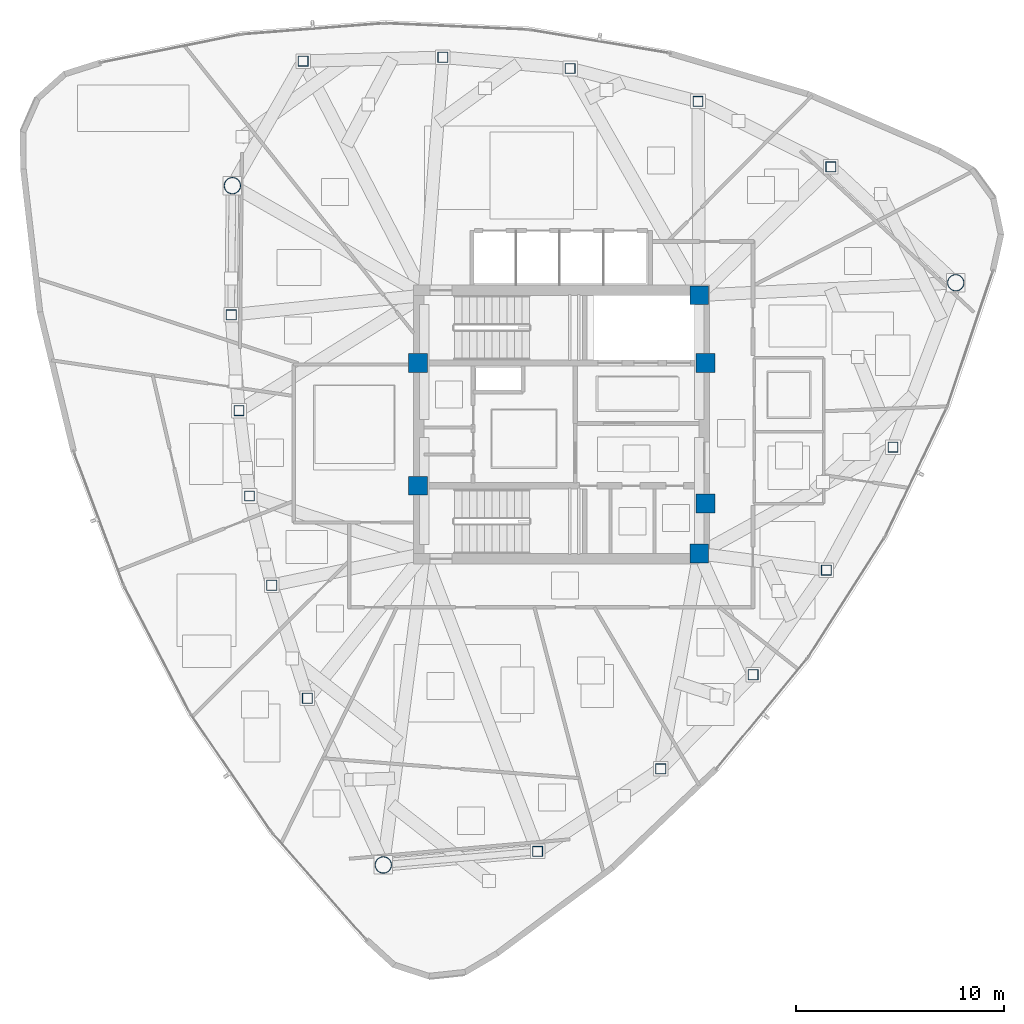
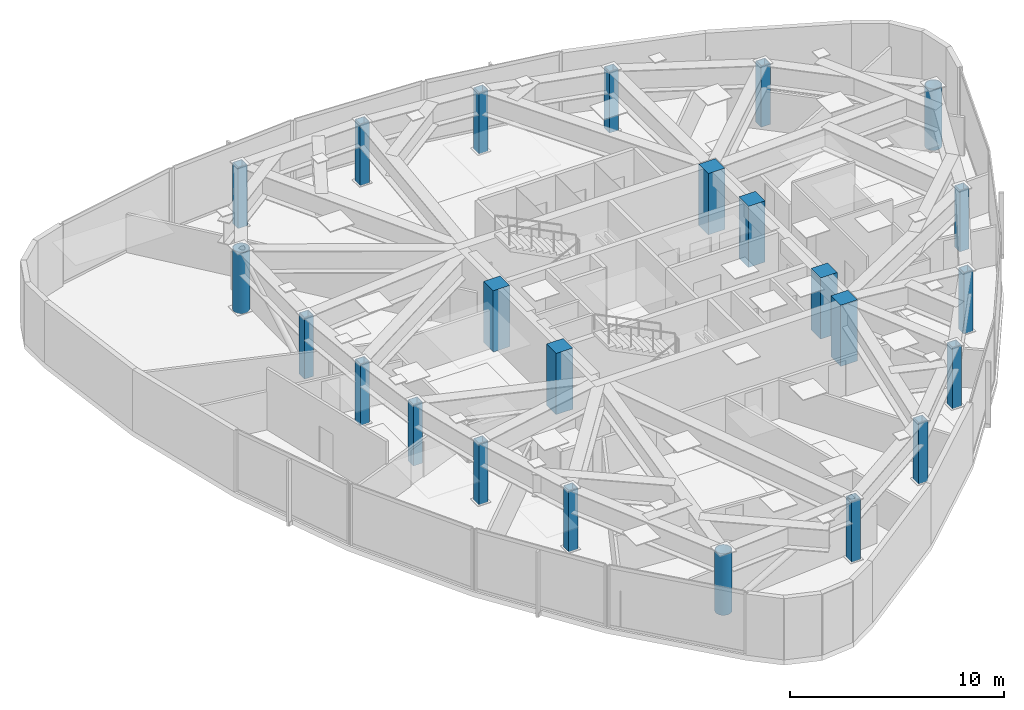
# One storey, part 1 of 13: 24 columns.
"""IFC4 building model written with IfcOpenShell, lengths in metres."""

import ifcopenshell
import ifcopenshell.guid

model = None  # the IFC model being written
_history = None  # IfcOwnerHistory: only IFC2X3 demands one
_inside = {}  # id of a spatial element -> (the spatial element, [elements in it])
_under = {}  # id of a project, library or spatial element -> (it, [spatial elements below it])
_declared = {}  # id of a project -> (the project, [libraries it declares])
_typed = {}  # id of a type object -> (the type object, [elements of that type])
_made_of = {}  # id of a material, layer set ... -> (it, [elements and type objects made of it])


def new_model(schema):
    """Start an empty IFC model of exactly this schema.

    Asked for "IFC4X3", IfcOpenShell would pick the latest addendum, in which some entities
    have other attributes; the version numbers below select the first issue.
    IFC2X3 requires an IfcOwnerHistory on every rooted entity: one is made here for all.
    """
    global model, _history
    if schema == "IFC4X3":
        model = ifcopenshell.file(schema_version=(4, 3, 0, 0))
    else:
        model = ifcopenshell.file(schema=schema)
    _inside.clear()
    _under.clear()
    _declared.clear()
    _typed.clear()
    _made_of.clear()
    _history = None
    if model.schema == "IFC2X3":
        org = make("IfcOrganization", Name="unknown")
        user = make(
            "IfcPersonAndOrganization",
            ThePerson=make("IfcPerson", FamilyName="unknown"),
            TheOrganization=org,
        )
        app = make(
            "IfcApplication",
            ApplicationDeveloper=org,
            Version="unknown",
            ApplicationFullName="unknown",
            ApplicationIdentifier="unknown",
        )
        _history = make(
            "IfcOwnerHistory",
            OwningUser=user,
            OwningApplication=app,
            ChangeAction="ADDED",
            CreationDate=0,
        )
    return model


def make(cls, **values):
    """One entity of the class cls with the attributes given. An attribute that is None is left unset."""
    return model.create_entity(
        cls, **{name: value for name, value in values.items() if value is not None}
    )


def rooted(cls, **values):
    """An entity with a GlobalId (a new one), such as an element, a storey or a relation."""
    return make(cls, GlobalId=ifcopenshell.guid.new(), OwnerHistory=_history, **values)


def si_unit(unit_type, name, prefix=None):
    """IfcSIUnit, for example si_unit("LENGTHUNIT", "METRE", prefix="MILLI")."""
    return make("IfcSIUnit", UnitType=unit_type, Prefix=prefix, Name=name)


def assignment(units):
    """IfcUnitAssignment: the units of a project."""
    return None if units is None else make("IfcUnitAssignment", Units=units)


def point(xyz):
    """IfcCartesianPoint."""
    return None if xyz is None else make("IfcCartesianPoint", Coordinates=xyz)


def direction(xyz):
    """IfcDirection."""
    return None if xyz is None else make("IfcDirection", DirectionRatios=xyz)


def frame(location, z_axis=None, x_axis=None):
    """IfcAxis2Placement3D, a coordinate frame: its origin and axes. An axis left out is left unset."""
    return make(
        "IfcAxis2Placement3D",
        Location=point(location),
        Axis=direction(z_axis),
        RefDirection=direction(x_axis),
    )


def frame_2d(location, x_axis=None):
    """IfcAxis2Placement2D, a coordinate frame in the plane: its origin and x axis."""
    return make(
        "IfcAxis2Placement2D", Location=point(location), RefDirection=direction(x_axis)
    )


def origin():
    """The frame at (0, 0, 0) with its axes left unset."""
    return frame((0.0, 0.0, 0.0))


def origin_2d():
    """The frame at (0, 0) in the plane with its x axis left unset."""
    return frame_2d((0.0, 0.0))


def place(relative_to, where):
    """IfcLocalPlacement: puts the frame where relative to a parent placement (None: the world)."""
    return make(
        "IfcLocalPlacement", PlacementRelTo=relative_to, RelativePlacement=where
    )


def context(
    kind, dimensions, precision=None, world=None, true_north=None, identifier=None
):
    """IfcGeometricRepresentationContext, for example the 3D "Model" context."""
    return make(
        "IfcGeometricRepresentationContext",
        ContextIdentifier=identifier,
        ContextType=kind,
        CoordinateSpaceDimension=dimensions,
        Precision=precision,
        WorldCoordinateSystem=world,
        TrueNorth=true_north,
    )


def subcontext(parent, identifier, kind, view, scale=None):
    """IfcGeometricRepresentationSubContext, for example "Body" below "Model"."""
    return make(
        "IfcGeometricRepresentationSubContext",
        ContextIdentifier=identifier,
        ContextType=kind,
        ParentContext=parent,
        TargetScale=scale,
        TargetView=view,
    )


def project(units=None, contexts=None):
    """IfcProject with its units and contexts."""
    return rooted(
        "IfcProject",
        Name="project",
        RepresentationContexts=contexts,
        UnitsInContext=assignment(units),
    )


def spatial(cls, under=None, at=None, **own):
    """A site, building, storey or space (cls), placed at a placement, below another one or the project."""
    s = rooted(cls, ObjectPlacement=at, **own)
    if under is not None:
        _under.setdefault(under.id(), (under, []))[1].append(s)
    return s


def profile(cls, at=None, kind="AREA", **sizes):
    """A parametric profile (cls). Its sizes go by their IFC names, for example OverallWidth=200.0."""
    return make(cls, ProfileType=kind, Position=at, **sizes)


def rectangle(**sizes):
    """IfcRectangleProfileDef."""
    return profile("IfcRectangleProfileDef", **sizes)


def hollow_rectangle(**sizes):
    """IfcRectangleHollowProfileDef."""
    return profile("IfcRectangleHollowProfileDef", **sizes)


def hollow_circle(**sizes):
    """IfcCircleHollowProfileDef."""
    return profile("IfcCircleHollowProfileDef", **sizes)


def extrude(swept, where, along, depth):
    """IfcExtrudedAreaSolid: the profile swept, set in the frame where, extruded along a direction by depth."""
    return make(
        "IfcExtrudedAreaSolid",
        SweptArea=swept,
        Position=where,
        ExtrudedDirection=direction(along),
        Depth=depth,
    )


def shape(context_of_items, identifier, shape_type, items):
    """IfcShapeRepresentation: the items that make up one representation, for example the "Body"."""
    return make(
        "IfcShapeRepresentation",
        ContextOfItems=context_of_items,
        RepresentationIdentifier=identifier,
        RepresentationType=shape_type,
        Items=items,
    )


def material(Name=None, Category=None):
    """IfcMaterial."""
    return make("IfcMaterial", Name=Name, Category=Category)


def material_profile(
    of_material, cross_section, Name=None, Category=None, Priority=None
):
    """IfcMaterialProfile: a cross section and its material."""
    return make(
        "IfcMaterialProfile",
        Name=Name,
        Material=of_material,
        Profile=cross_section,
        Priority=Priority,
        Category=Category,
    )


def profile_set(profiles, Name=None, composite=None):
    """IfcMaterialProfileSet."""
    return make(
        "IfcMaterialProfileSet",
        Name=Name,
        MaterialProfiles=profiles,
        CompositeProfile=composite,
    )


def made_of(thing, what):
    """Note that an element or type object is made of a material, layer set ...; save() writes the relation."""
    if what is not None:
        _made_of.setdefault(what.id(), (what, []))[1].append(thing)
    return thing


def type_object(cls, material=None, **own):
    """A type object (cls), such as IfcWallType, which elements share."""
    return made_of(rooted(cls, **own), material)


def element(
    cls,
    number,
    at=None,
    inside=None,
    cuts=None,
    type_object=None,
    material=None,
    context=None,
    identifier="Body",
    shape_type=None,
    held_by="IfcProductDefinitionShape",
    body=None,
    shapes=None,
    **own,
):
    """One element of the class cls, such as IfcWall. Its Tag is "e" and its number.

    at: its placement. inside: the storey or other place that contains it. cuts: it is an
    opening in that element (IfcRelVoidsElement). A single representation is given by context,
    identifier, shape_type and body (its items); several are given by shapes. held_by: the class
    of the entity that holds the representations. save() writes the other relations.
    """
    e = rooted(cls, Tag="e%d" % number, ObjectPlacement=at, **own)
    if body is not None:
        shapes = [shape(context, identifier, shape_type, body)]
    if shapes is not None:
        e.Representation = make(held_by, Representations=shapes)
    if inside is not None:
        _inside.setdefault(inside.id(), (inside, []))[1].append(e)
    if cuts is not None:
        rooted(
            "IfcRelVoidsElement", RelatingBuildingElement=cuts, RelatedOpeningElement=e
        )
    if type_object is not None:
        _typed.setdefault(type_object.id(), (type_object, []))[1].append(e)
    return made_of(e, material)


def aggregate(whole, parts):
    """IfcRelAggregates: a whole, such as a stair, and the parts it consists of."""
    return rooted("IfcRelAggregates", RelatingObject=whole, RelatedObjects=parts)


def save(model, path):
    """Write the relations noted so far, then the file.

    IfcRelAggregates (storeys below a building ...), IfcRelContainedInSpatialStructure (elements
    in a storey), IfcRelDefinesByType, IfcRelAssociatesMaterial and IfcRelDeclares: one each for
    every whole, place, type object, material and project.
    """
    for whole, parts in _under.values():
        aggregate(whole, parts)
    for where, things in _inside.values():
        rooted(
            "IfcRelContainedInSpatialStructure",
            RelatedElements=things,
            RelatingStructure=where,
        )
    for kind, things in _typed.values():
        rooted("IfcRelDefinesByType", RelatedObjects=things, RelatingType=kind)
    for what, things in _made_of.values():
        rooted("IfcRelAssociatesMaterial", RelatedObjects=things, RelatingMaterial=what)
    for by, libraries in _declared.values():
        rooted("IfcRelDeclares", RelatingContext=by, RelatedDefinitions=libraries)
    model.write(path)


model = new_model("IFC4")

# Units and contexts
model_context = context("Model", 3, precision=1e-05, world=origin(), true_north=direction((0.0, 1.0)))
body_context = subcontext(model_context, "Body", "Model", "MODEL_VIEW")
ifc_project = project(units=[si_unit("LENGTHUNIT", "METRE"), si_unit("AREAUNIT", "SQUARE_METRE"), si_unit("VOLUMEUNIT", "CUBIC_METRE"), si_unit("PLANEANGLEUNIT", "RADIAN"), si_unit("MASSUNIT", "GRAM", prefix="KILO")], contexts=[model_context])

# Site, building, storey
site_placement = place(None, origin())
site = spatial("IfcSite", under=ifc_project, at=site_placement, CompositionType="ELEMENT")
building_placement = place(site_placement, origin())
building = spatial("IfcBuilding", under=site, at=building_placement, Name="Tavelor Broadcast Tower", CompositionType="ELEMENT")
storey_placement = place(building_placement, frame((0.0, 0.0, 269.550048828125)))
storey = spatial("IfcBuildingStorey", under=building, at=storey_placement, Name="L64", CompositionType="ELEMENT", Elevation=269.550048828125)

# Columns
ifc_material_1 = material(Name="Concrete C50/60", Category="concrete")
ifc_material_profile_1 = material_profile(ifc_material_1, rectangle(XDim=0.89990234375, YDim=0.89990234375, at=origin_2d()), Name="RC 900x900")
ifc_profile_set_1 = profile_set([ifc_material_profile_1], Name="Concrete C50/60")
column_type_1 = type_object("IfcColumnType", Name="Core Embedded Composite Column RC900", PredefinedType="COLUMN", material=ifc_profile_set_1)
for number, where, z_axis, x_axis, name in (
    (1, (43.10009765625, 47.949951171875, 0.0), (0.0, 0.0, 1.0), (1.0, 0.0, 0.0), "L64 Core Embedded Column 1"),
    (2, (56.89990234375, 47.949951171875, 0.0), (0.0, 0.0, 1.0), (1.0, 0.0, 0.0), "L64 Core Embedded Column 2"),
    (3, (56.60009765625, 51.199951171875, 0.0), (0.0, 0.0, 1.0), (1.0, 0.0, 0.0), "L64 Core Embedded Column 3"),
    (4, (43.10009765625, 42.050048828125, 0.0), (0.0, 0.0, 1.0), (1.0, 0.0, 0.0), "L64 Core Embedded Column 4"),
    (5, (56.89990234375, 41.199951171875, 0.0), (0.0, 0.0, 1.0), (1.0, 0.0, 0.0), "L64 Core Embedded Column 5"),
    (6, (56.60009765625, 38.800048828125, 0.0), (0.0, 0.0, 1.0), (1.0, 0.0, 0.0), "L64 Core Embedded Column 6"),
):
    element("IfcColumn", number, at=place(storey_placement, frame(where, z_axis=z_axis, x_axis=x_axis)), inside=storey, type_object=column_type_1, Name=name, PredefinedType="COLUMN", context=body_context, shape_type="SweptSolid", body=[
        extrude(rectangle(XDim=0.89990234375, YDim=0.89990234375, at=origin_2d()), origin(), (0.0, 0.0, 1.0), 3.5),
    ])
ifc_material_2 = material(Name="Steel S460", Category="steel")
ifc_material_profile_2 = material_profile(ifc_material_2, hollow_rectangle(XDim=0.5, YDim=0.5, WallThickness=0.030029296875, at=origin_2d()), Name="SHS 500x500x30")
ifc_profile_set_2 = profile_set([ifc_material_profile_2], Name="Steel S460")
column_type_2 = type_object("IfcColumnType", Name="Perimeter Tube Column T6 SHS 500x500x30", PredefinedType="COLUMN", material=ifc_profile_set_2)
for number, where, z_axis, x_axis, name in (
    (7, (34.13720703125, 50.255859375, 0.0), (0.0, 0.0, 1.0), (1.0, 0.0, 0.0), "L64 Perimeter Framed-Tube Column 02"),
    (8, (34.513671875, 45.66455078125, 0.0), (0.0, 0.0, 1.0), (1.0, 0.0, 0.0), "L64 Perimeter Framed-Tube Column 03"),
    (9, (35.018798828125, 41.56396484375, 0.0), (0.0, 0.0, 1.0), (1.0, 0.0, 0.0), "L64 Perimeter Framed-Tube Column 04"),
    (10, (36.08349609375, 37.2822265625, 0.0), (0.0, 0.0, 1.0), (1.0, 0.0, 0.0), "L64 Perimeter Framed-Tube Column 05"),
    (11, (37.797119140625, 31.853271484375, 0.0), (0.0, 0.0, 1.0), (1.0, 0.0, 0.0), "L64 Perimeter Framed-Tube Column 06"),
    (12, (48.843994140625, 24.5048828125, 0.0), (0.0, 0.0, 1.0), (1.0, 0.0, 0.0), "L64 Perimeter Framed-Tube Column 08"),
    (13, (54.754150390625, 28.461669921875, 0.0), (0.0, 0.0, 1.0), (1.0, 0.0, 0.0), "L64 Perimeter Framed-Tube Column 09"),
    (14, (59.1923828125, 32.987060546875, 0.0), (0.0, 0.0, 1.0), (1.0, 0.0, 0.0), "L64 Perimeter Framed-Tube Column 10"),
    (15, (62.7109375, 38.009033203125, 0.0), (0.0, 0.0, 1.0), (1.0, 0.0, 0.0), "L64 Perimeter Framed-Tube Column 11"),
    (16, (65.9072265625, 43.909423828125, 0.0), (0.0, 0.0, 1.0), (1.0, 0.0, 0.0), "L64 Perimeter Framed-Tube Column 12"),
    (17, (62.92724609375, 57.364013671875, 0.0), (0.0, 0.0, 1.0), (1.0, 0.0, 0.0), "L64 Perimeter Framed-Tube Column 14"),
    (18, (56.545654296875, 60.504150390625, 0.0), (0.0, 0.0, 1.0), (1.0, 0.0, 0.0), "L64 Perimeter Framed-Tube Column 15"),
    (19, (50.4072265625, 62.0849609375, 0.0), (0.0, 0.0, 1.0), (1.0, 0.0, 0.0), "L64 Perimeter Framed-Tube Column 16"),
    (20, (44.298828125, 62.621337890625, 0.0), (0.0, 0.0, 1.0), (1.0, 0.0, 0.0), "L64 Perimeter Framed-Tube Column 17"),
    (21, (37.5908203125, 62.439208984375, 0.0), (0.0, 0.0, 1.0), (1.0, 0.0, 0.0), "L64 Perimeter Framed-Tube Column 18"),
):
    element("IfcColumn", number, at=place(storey_placement, frame(where, z_axis=z_axis, x_axis=x_axis)), inside=storey, type_object=column_type_2, Name=name, PredefinedType="COLUMN", context=body_context, shape_type="SweptSolid", body=[
        extrude(hollow_rectangle(XDim=0.5, YDim=0.5, WallThickness=0.030029296875, at=origin_2d()), origin(), (0.0, 0.0, 1.0), 3.5),
    ])
ifc_material_profile_3 = material_profile(ifc_material_2, hollow_circle(Radius=0.406494140625, WallThickness=0.035888671875, at=origin_2d()), Name="CHS 813x36")
ifc_profile_set_3 = profile_set([ifc_material_profile_3], Name="Steel S460")
column_type_3 = type_object("IfcColumnType", Name="Tower Mega Column T6 CHS 813x36", PredefinedType="COLUMN", material=ifc_profile_set_3)
for number, where, z_axis, x_axis, name in (
    (22, (34.1962890625, 56.4599609375, 0.0), (0.0, 0.0, 1.0), (1.0, 0.0, 0.0), "L64 Tower Corner Mega Column 01"),
    (23, (41.440185546875, 23.853759765625, 0.0), (0.0, 0.0, 1.0), (1.0, 0.0, 0.0), "L64 Tower Corner Mega Column 07"),
    (24, (68.919677734375, 51.799072265625, 0.0), (0.0, 0.0, 1.0), (1.0, 0.0, 0.0), "L64 Tower Corner Mega Column 13"),
):
    element("IfcColumn", number, at=place(storey_placement, frame(where, z_axis=z_axis, x_axis=x_axis)), inside=storey, type_object=column_type_3, Name=name, PredefinedType="COLUMN", context=body_context, shape_type="SweptSolid", body=[
        extrude(hollow_circle(Radius=0.406494140625, WallThickness=0.035888671875, at=origin_2d()), origin(), (0.0, 0.0, 1.0), 3.5),
    ])

save(model, "model.ifc")
